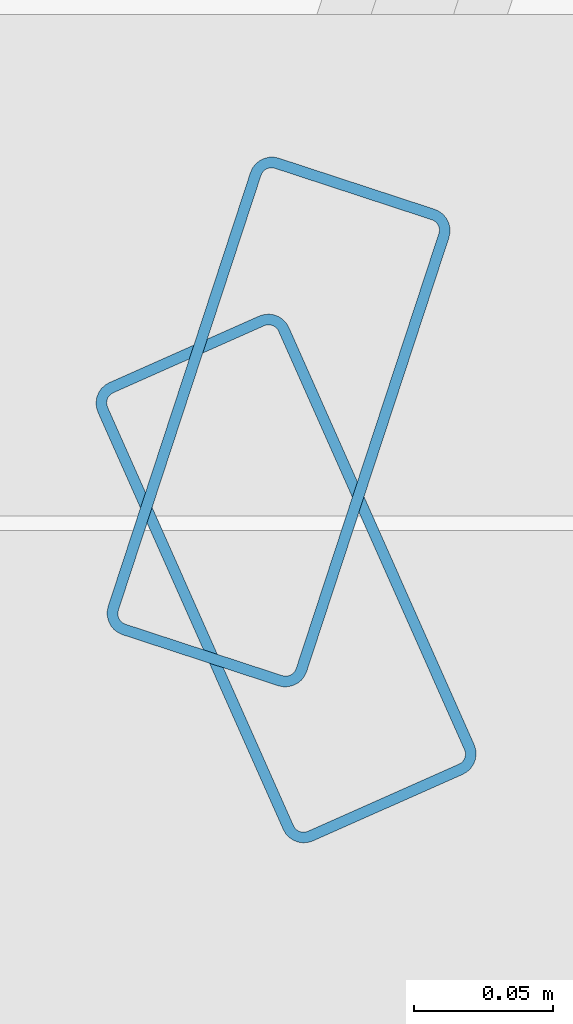
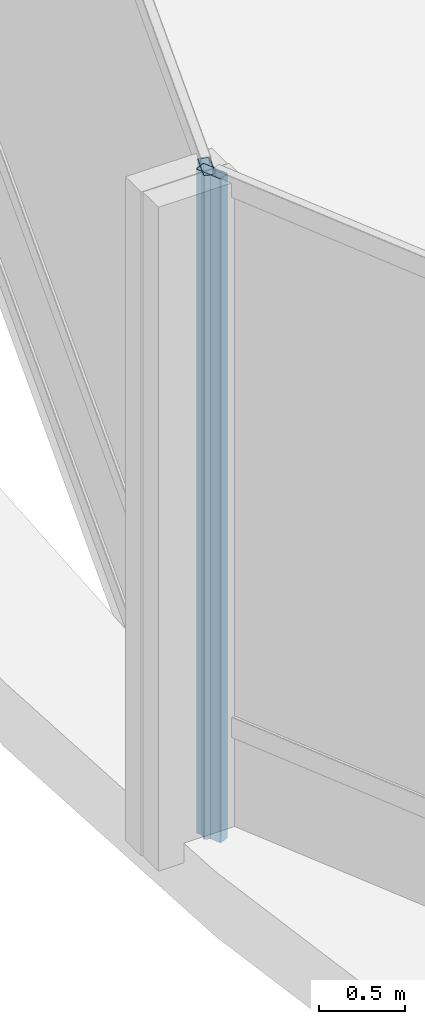
# One storey, part 7 of 39: 2 members, 2 elements without a shape of their own.
"""IFC4 building model written with IfcOpenShell, lengths in metres."""

from ifc_helpers import new_model, si_unit, direction, frame, origin, origin_2d, place, context, subcontext, project, spatial, hollow_rectangle, extrude, material, layer, layer_set, material_profile, profile_set, type_object, element, aggregate, save


model = new_model("IFC4")

# Units and contexts
model_context = context("Model", 3, precision=1e-05, world=origin(), true_north=direction((0.0, 1.0)))
body_context = subcontext(model_context, "Body", "Model", "MODEL_VIEW")
ifc_project = project(units=[si_unit("LENGTHUNIT", "METRE"), si_unit("AREAUNIT", "SQUARE_METRE"), si_unit("VOLUMEUNIT", "CUBIC_METRE"), si_unit("PLANEANGLEUNIT", "RADIAN"), si_unit("MASSUNIT", "GRAM", prefix="KILO")], contexts=[model_context])

# Site, building, storey
site_placement = place(None, origin())
site = spatial("IfcSite", under=ifc_project, at=site_placement, CompositionType="ELEMENT")
building_placement = place(site_placement, origin())
building = spatial("IfcBuilding", under=site, at=building_placement, Name="Solvaryn Broadcast Tower", CompositionType="ELEMENT")
storey_placement = place(building_placement, frame((0.0, 0.0, 84.10009765625)))
storey = spatial("IfcBuildingStorey", under=building, at=storey_placement, Name="L20", CompositionType="ELEMENT", Elevation=84.10009765625)

# Curtain wall, member
ifc_material_1 = material(Name="Aluminium and Terracotta Unitised Curtain Wall", Category="masonry")
ifc_layer = layer(ifc_material_1, 0.25)
ifc_layer_set = layer_set([ifc_layer], Name="CW-SYS4-SKYGARDEN")
curtain_wall_type = type_object("IfcCurtainWallType", Name="CW-SYS4-SKYGARDEN", PredefinedType="NOTDEFINED", material=ifc_layer_set)
curtain_wall_1_placement = place(storey_placement, origin())
curtain_wall_1 = element("IfcCurtainWall", 1, at=curtain_wall_1_placement, inside=storey, type_object=curtain_wall_type, Name="L20 Curtain Wall DR1", PredefinedType="NOTDEFINED")
ifc_material_2 = material(Name="Anodised Aluminium 6063-T6", Category="aluminium")
ifc_material_profile = material_profile(ifc_material_2, hollow_rectangle(XDim=0.074951171875, YDim=0.179931640625, WallThickness=0.00390625, InnerFilletRadius=0.00390625, OuterFilletRadius=0.008056640625, at=origin_2d()))
ifc_profile_set = profile_set([ifc_material_profile], Name="Anodised Aluminium 6063-T6")
member_type = type_object("IfcMemberType", Name="CW-MUL-180", PredefinedType="MULLION", material=ifc_profile_set)
member_1_placement = place(storey_placement, frame((-0.45458984375, 26.588623046875, 0.0), z_axis=(0.0, 0.0, 1.0), x_axis=(0.950215318429, -0.311594044587, 0.0)))
member_1 = element("IfcMember", 2, at=member_1_placement, type_object=member_type, Name="CWS4 mullion 3", PredefinedType="MULLION", context=body_context, shape_type="SweptSolid", body=[
    extrude(hollow_rectangle(XDim=0.074951171875, YDim=0.179931640625, WallThickness=0.00390625, InnerFilletRadius=0.00390625, OuterFilletRadius=0.008056640625, at=origin_2d()), origin(), (0.0, 0.0, 1.0), 4.719970703125),
])
aggregate(curtain_wall_1, [member_1])

curtain_wall_2_placement = place(storey_placement, origin())
curtain_wall_2 = element("IfcCurtainWall", 3, at=curtain_wall_2_placement, inside=storey, type_object=curtain_wall_type, Name="L20 Curtain Wall DR2", PredefinedType="NOTDEFINED")
member_2_placement = place(storey_placement, frame((-0.451904296875, 26.532470703125, 0.0), z_axis=(0.0, 0.0, 1.0), x_axis=(0.913918257271, 0.405898286554, 0.0)))
member_2 = element("IfcMember", 4, at=member_2_placement, type_object=member_type, Name="CWS4 mullion 1", PredefinedType="MULLION", context=body_context, shape_type="SweptSolid", body=[
    extrude(hollow_rectangle(XDim=0.074951171875, YDim=0.179931640625, WallThickness=0.00390625, InnerFilletRadius=0.00390625, OuterFilletRadius=0.008056640625, at=origin_2d()), origin(), (0.0, 0.0, 1.0), 4.719970703125),
])
aggregate(curtain_wall_2, [member_2])

save(model, "model.ifc")
